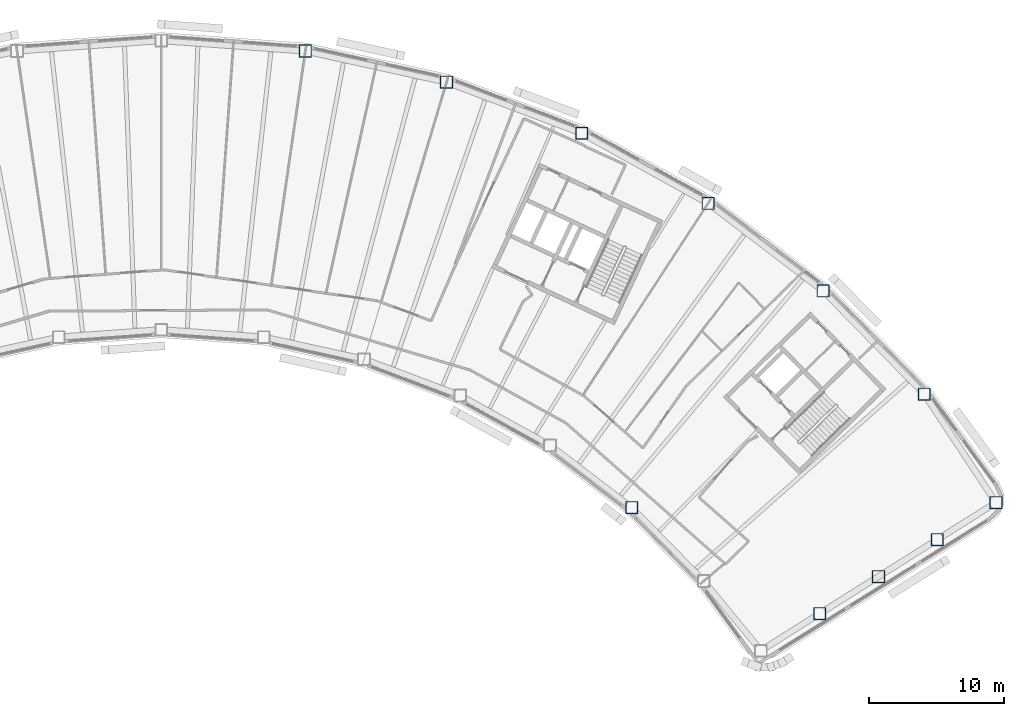
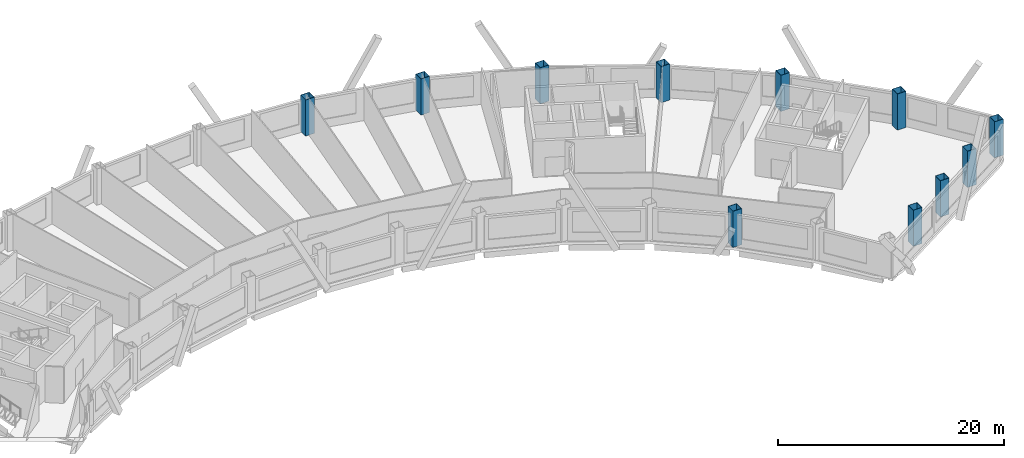
# One storey, part 2 of 13: 11 columns.
"""IFC4 building model written with IfcOpenShell, lengths in metres."""

from ifc_helpers import new_model, si_unit, direction, frame, origin, origin_2d, place, context, subcontext, project, spatial, hollow_rectangle, extrude, material, material_profile, profile_set, type_object, element, save


model = new_model("IFC4")

# Units and contexts
model_context = context("Model", 3, precision=1e-05, world=origin(), true_north=direction((0.0, 1.0)))
body_context = subcontext(model_context, "Body", "Model", "MODEL_VIEW")
ifc_project = project(units=[si_unit("LENGTHUNIT", "METRE"), si_unit("AREAUNIT", "SQUARE_METRE"), si_unit("VOLUMEUNIT", "CUBIC_METRE"), si_unit("PLANEANGLEUNIT", "RADIAN"), si_unit("MASSUNIT", "GRAM", prefix="KILO")], contexts=[model_context])

# Site, building, storey
site_placement = place(None, origin())
site = spatial("IfcSite", under=ifc_project, at=site_placement, CompositionType="ELEMENT")
building_placement = place(site_placement, origin())
building = spatial("IfcBuilding", under=site, at=building_placement, Name="Tuul Gate Civic Tower", CompositionType="ELEMENT")
storey_placement = place(building_placement, frame((0.0, 0.0, 188.89990234375)))
storey = spatial("IfcBuildingStorey", under=building, at=storey_placement, Name="Level 43", CompositionType="ELEMENT", Elevation=188.89990234375)

# Columns
ifc_material = material(Name="Steel S355", Category="steel")
ifc_material_profile = material_profile(ifc_material, hollow_rectangle(XDim=0.89990234375, YDim=0.89990234375, WallThickness=0.031982421875, at=origin_2d()), Name="BOX900x900x32")
ifc_profile_set = profile_set([ifc_material_profile], Name="Steel S355")
column_type = type_object("IfcColumnType", Name="STR-COLUMN-BOX900x900x32", PredefinedType="COLUMN", material=ifc_profile_set)
for number, where, z_axis, x_axis, name in (
    (1, (62.660888671875, -20.512939453125, 0.0), (0.0, 0.0, 1.0), (1.0, 0.0, 0.0), "Column"),
    (2, (57.362060546875, -12.5, 0.0), (0.0, 0.0, 1.0), (1.0, 0.0, 0.0), "Column"),
    (3, (49.886962890625, -4.875, 0.0), (0.0, 0.0, 1.0), (1.0, 0.0, 0.0), "Column"),
    (4, (41.39208984375, 1.593017578125, 0.0), (0.0, 0.0, 1.0), (1.0, 0.0, 0.0), "Column"),
    (5, (32.053955078125, 6.77001953125, 0.0), (0.0, 0.0, 1.0), (1.0, 0.0, 0.0), "Column"),
    (6, (22.06689453125, 10.5458984375, 0.0), (0.0, 0.0, 1.0), (1.0, 0.0, 0.0), "Column"),
    (7, (11.638916015625, 12.843994140625, 0.0), (0.0, 0.0, 1.0), (1.0, 0.0, 0.0), "Column"),
    (8, (35.757080078125, -20.886962890625, 0.0), (0.0, 0.0, 1.0), (1.0, 0.0, 0.0), "Column"),
    (9, (49.633056640625, -28.716064453125, 0.0), (0.0, 0.0, 1.0), (1.0, 0.0, 0.0), "Column"),
    (10, (53.97607421875, -25.98193359375, 0.0), (0.0, 0.0, 1.0), (1.0, 0.0, 0.0), "Column"),
    (11, (58.318115234375, -23.2470703125, 0.0), (0.0, 0.0, 1.0), (1.0, 0.0, 0.0), "Column"),
):
    element("IfcColumn", number, at=place(storey_placement, frame(where, z_axis=z_axis, x_axis=x_axis)), inside=storey, type_object=column_type, Name=name, PredefinedType="COLUMN", context=body_context, shape_type="SweptSolid", body=[
        extrude(hollow_rectangle(XDim=0.89990234375, YDim=0.89990234375, WallThickness=0.031982421875, at=origin_2d()), origin(), (0.0, 0.0, 1.0), 3.900146484375),
    ])

save(model, "model.ifc")
